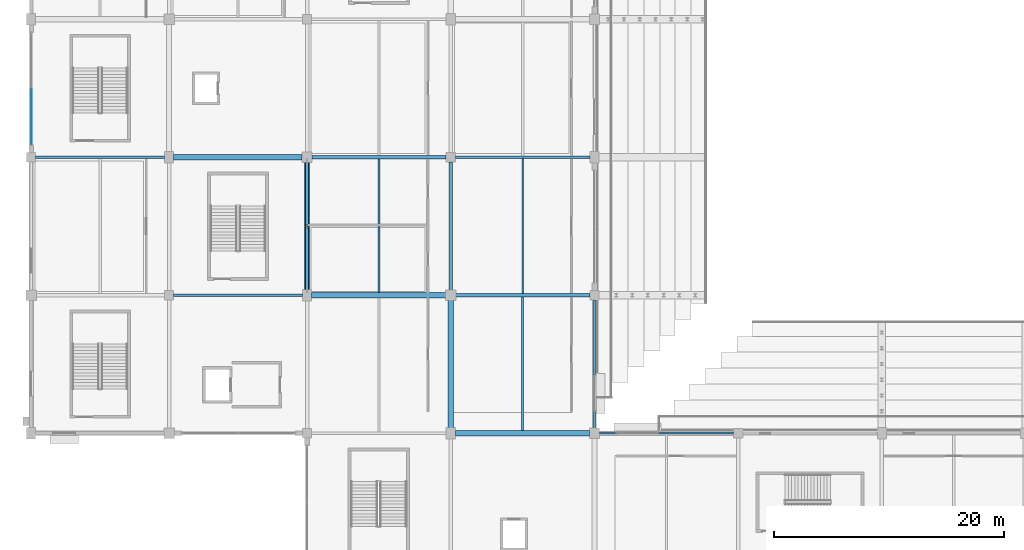
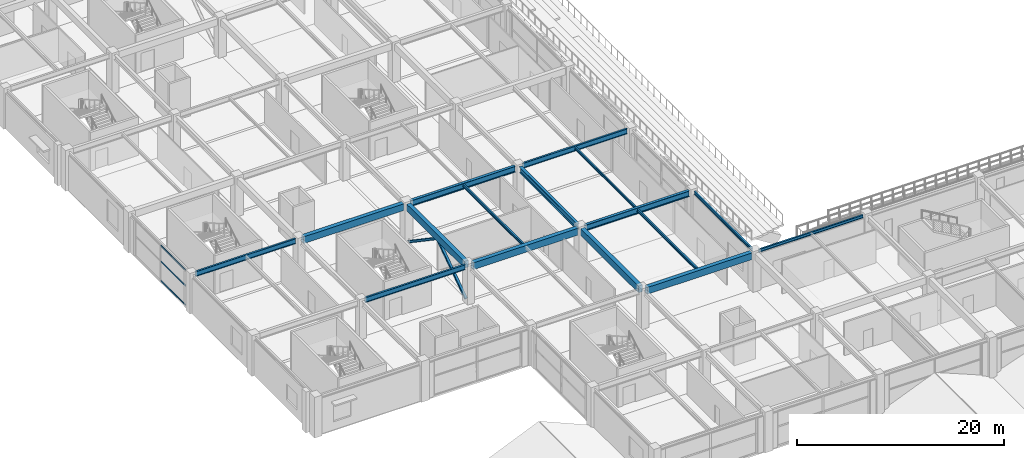
# One storey, part 10 of 134: 16 beams, 5 members, 1 element without a shape of its own.
"""IFC4 building model written with IfcOpenShell, lengths in metres."""

from ifc_helpers import new_model, si_unit, direction, frame, origin, origin_2d, place, context, subcontext, project, spatial, rectangle, i_section, extrude, material, layer, layer_set, material_profile, profile_set, type_object, element, aggregate, save


model = new_model("IFC4")

# Units and contexts
model_context = context("Model", 3, precision=1e-05, world=origin(), true_north=direction((0.0, 1.0)))
body_context = subcontext(model_context, "Body", "Model", "MODEL_VIEW")
ifc_project = project(units=[si_unit("LENGTHUNIT", "METRE"), si_unit("AREAUNIT", "SQUARE_METRE"), si_unit("VOLUMEUNIT", "CUBIC_METRE"), si_unit("PLANEANGLEUNIT", "RADIAN"), si_unit("MASSUNIT", "GRAM", prefix="KILO")], contexts=[model_context])

# Site, building, storey
site_placement = place(None, origin())
site = spatial("IfcSite", under=ifc_project, at=site_placement, CompositionType="ELEMENT")
building_placement = place(site_placement, origin())
building = spatial("IfcBuilding", under=site, at=building_placement, Name="Kazenohara Klinker Stadium", CompositionType="ELEMENT")
storey_placement = place(building_placement, frame((0.0, 0.0, 5.39990234375)))
storey = spatial("IfcBuildingStorey", under=building, at=storey_placement, Name="L01", CompositionType="ELEMENT", Elevation=5.39990234375)

# Beams
ifc_material_1 = material(Name="Steel S355", Category="steel")
ifc_material_profile_1 = material_profile(ifc_material_1, i_section(OverallWidth=0.175048828125, OverallDepth=0.35009765625, WebThickness=0.007080078125, FlangeThickness=0.010986328125, FilletRadius=0.012939453125, at=origin_2d()), Name="H-350x175x7x11")
ifc_profile_set_1 = profile_set([ifc_material_profile_1], Name="Steel S355")
beam_type_1 = type_object("IfcBeamType", Name="BM-JST04", PredefinedType="JOIST", material=ifc_profile_set_1)
for number, where, z_axis, x_axis, name in (
    (1, (30.25, 48.22509765625, 4.375), (0.0, 1.0, 0.0), (-1.0, 0.0, 0.0), "Secondary floor joist SJ04 L01 3/E"),
    (2, (42.75, 36.22509765625, 4.375), (0.0, 1.0, 0.0), (-1.0, 0.0, 0.0), "Secondary floor joist SJ04 L01 4/D"),
):
    element("IfcBeam", number, at=place(storey_placement, frame(where, z_axis=z_axis, x_axis=x_axis)), inside=storey, type_object=beam_type_1, Name=name, PredefinedType="JOIST", context=body_context, shape_type="SweptSolid", body=[
        extrude(i_section(OverallWidth=0.175048828125, OverallDepth=0.35009765625, WebThickness=0.007080078125, FlangeThickness=0.010986328125, FilletRadius=0.012939453125, at=origin_2d()), origin(), (0.0, 0.0, 1.0), 11.625),
    ])
ifc_material_profile_2 = material_profile(ifc_material_1, i_section(OverallWidth=0.14990234375, OverallDepth=0.300048828125, WebThickness=0.006591796875, FlangeThickness=0.009033203125, FilletRadius=0.012939453125, at=origin_2d()), Name="H-300x150x6.5x9")
ifc_profile_set_2 = profile_set([ifc_material_profile_2], Name="Steel S355")
beam_type_2 = type_object("IfcBeamType", Name="BM-JST05", PredefinedType="JOIST", material=ifc_profile_set_2)
beam_1_placement = place(storey_placement, frame((42.75, 48.14990234375, 4.400146484375), z_axis=(0.0, 1.0, 0.0), x_axis=(-1.0, 0.0, 0.0)))
element("IfcBeam", 3, at=beam_1_placement, inside=storey, type_object=beam_type_2, Name="Secondary floor joist SJ05 L01 4/E", PredefinedType="JOIST", context=body_context, shape_type="SweptSolid", body=[
    extrude(i_section(OverallWidth=0.14990234375, OverallDepth=0.300048828125, WebThickness=0.006591796875, FlangeThickness=0.009033203125, FilletRadius=0.012939453125, at=origin_2d()), origin(), (0.0, 0.0, 1.0), 11.75),
])
ifc_material_2 = material(Name="Concrete C40/50", Category="concrete")
ifc_material_profile_3 = material_profile(ifc_material_2, rectangle(XDim=0.449951171875, YDim=0.800048828125, at=origin_2d()), Name="RC-BM-450x800")
ifc_profile_set_3 = profile_set([ifc_material_profile_3], Name="Concrete C40/50")
beam_type_3 = type_object("IfcBeamType", Name="BM-RC03", PredefinedType="BEAM", material=ifc_profile_set_3)
beam_2_placement = place(storey_placement, frame((12.39990234375, 60.0, 4.150146484375), z_axis=(1.0, 0.0, 0.0), x_axis=(0.0, 1.0, 0.0)))
element("IfcBeam", 4, at=beam_2_placement, inside=storey, type_object=beam_type_3, Name="Primary girder BG03 L01 2-3/F", PredefinedType="BEAM", context=body_context, shape_type="SweptSolid", body=[
    extrude(rectangle(XDim=0.449951171875, YDim=0.800048828125, at=origin_2d()), origin(), (0.0, 0.0, 1.0), 11.18017578125),
])
for number, where, z_axis, x_axis, name in (
    (5, (24.39990234375, 48.0, 4.150146484375), (1.0, 0.0, 0.0), (0.0, 1.0, 0.0), "Primary girder BG03 L01 3-4/E"),
    (6, (36.89990234375, 36.0, 4.150146484375), (1.0, 0.0, 0.0), (0.0, 1.0, 0.0), "Primary girder BG03 L01 4-5/D"),
):
    element("IfcBeam", number, at=place(storey_placement, frame(where, z_axis=z_axis, x_axis=x_axis)), inside=storey, type_object=beam_type_3, Name=name, PredefinedType="BEAM", context=body_context, shape_type="SweptSolid", body=[
        extrude(rectangle(XDim=0.449951171875, YDim=0.800048828125, at=origin_2d()), origin(), (0.0, 0.0, 1.0), 11.68017578125),
    ])
for number, where, z_axis, x_axis, name in (
    (7, (24.0, 48.419921875, 4.150146484375), (0.0, 1.0, 0.0), (-1.0, 0.0, 0.0), "Primary girder BG03 L01 3/E-F"),
    (8, (36.5, 36.419921875, 4.150146484375), (0.0, 1.0, 0.0), (-1.0, 0.0, 0.0), "Primary girder BG03 L01 4/D-E"),
):
    element("IfcBeam", number, at=place(storey_placement, frame(where, z_axis=z_axis, x_axis=x_axis)), inside=storey, type_object=beam_type_3, Name=name, PredefinedType="BEAM", context=body_context, shape_type="SweptSolid", body=[
        extrude(rectangle(XDim=0.449951171875, YDim=0.800048828125, at=origin_2d()), origin(), (0.0, 0.0, 1.0), 11.16015625),
    ])
ifc_material_profile_4 = material_profile(ifc_material_1, i_section(OverallWidth=0.175048828125, OverallDepth=0.35009765625, WebThickness=0.007080078125, FlangeThickness=0.010986328125, FilletRadius=0.012939453125, at=origin_2d()), Name="H-350x175x7x11")
ifc_profile_set_4 = profile_set([ifc_material_profile_4], Name="Steel S355")
beam_type_4 = type_object("IfcBeamType", Name="BM-SPD02", PredefinedType="SPANDREL", material=ifc_profile_set_4)
beam_3_placement = place(storey_placement, frame((49.419921875, 36.0, 4.375), z_axis=(1.0, 0.0, 0.0), x_axis=(0.0, 1.0, 0.0)))
element("IfcBeam", 9, at=beam_3_placement, inside=storey, type_object=beam_type_4, Name="Primary girder SP02 L01 5-6/D", PredefinedType="SPANDREL", context=body_context, shape_type="SweptSolid", body=[
    extrude(i_section(OverallWidth=0.175048828125, OverallDepth=0.35009765625, WebThickness=0.007080078125, FlangeThickness=0.010986328125, FilletRadius=0.012939453125, at=origin_2d()), origin(), (0.0, 0.0, 1.0), 11.68017578125),
])
beam_4_placement = place(storey_placement, frame((49.0, 36.419921875, 4.375), z_axis=(0.0, 1.0, 0.0), x_axis=(-1.0, 0.0, 0.0)))
element("IfcBeam", 10, at=beam_4_placement, inside=storey, type_object=beam_type_4, Name="Primary girder SP02 L01 5/D-E", PredefinedType="SPANDREL", context=body_context, shape_type="SweptSolid", body=[
    extrude(i_section(OverallWidth=0.175048828125, OverallDepth=0.35009765625, WebThickness=0.007080078125, FlangeThickness=0.010986328125, FilletRadius=0.012939453125, at=origin_2d()), origin(), (0.0, 0.0, 1.0), 11.18017578125),
])
ifc_material_profile_5 = material_profile(ifc_material_1, i_section(OverallWidth=0.300048828125, OverallDepth=0.699951171875, WebThickness=0.012939453125, FlangeThickness=0.02392578125, FilletRadius=0.02197265625, at=origin_2d()), Name="H-700x300x13x24")
ifc_profile_set_5 = profile_set([ifc_material_profile_5], Name="Steel S355")
beam_type_5 = type_object("IfcBeamType", Name="BM-ST03", PredefinedType="BEAM", material=ifc_profile_set_5)
for number, where, z_axis, x_axis, name in (
    (11, (24.419921875, 60.0, 4.2001953125), (1.0, 0.0, 0.0), (0.0, 1.0, 0.0), "Primary girder SB03 L01 3-4/F"),
    (12, (36.919921875, 48.0, 4.2001953125), (1.0, 0.0, 0.0), (0.0, 1.0, 0.0), "Primary girder SB03 L01 4-5/E"),
):
    element("IfcBeam", number, at=place(storey_placement, frame(where, z_axis=z_axis, x_axis=x_axis)), inside=storey, type_object=beam_type_5, Name=name, PredefinedType="BEAM", context=body_context, shape_type="SweptSolid", body=[
        extrude(i_section(OverallWidth=0.300048828125, OverallDepth=0.699951171875, WebThickness=0.012939453125, FlangeThickness=0.02392578125, FilletRadius=0.02197265625, at=origin_2d()), origin(), (0.0, 0.0, 1.0), 11.68017578125),
    ])
beam_5_placement = place(storey_placement, frame((36.5, 48.419921875, 4.2001953125), z_axis=(0.0, 1.0, 0.0), x_axis=(-1.0, 0.0, 0.0)))
element("IfcBeam", 13, at=beam_5_placement, inside=storey, type_object=beam_type_5, Name="Primary girder SB03 L01 4/E-F", PredefinedType="BEAM", context=body_context, shape_type="SweptSolid", body=[
    extrude(i_section(OverallWidth=0.300048828125, OverallDepth=0.699951171875, WebThickness=0.012939453125, FlangeThickness=0.02392578125, FilletRadius=0.02197265625, at=origin_2d()), origin(), (0.0, 0.0, 1.0), 11.18017578125),
])
ifc_material_profile_6 = material_profile(ifc_material_1, i_section(OverallWidth=0.199951171875, OverallDepth=0.60009765625, WebThickness=0.010986328125, FlangeThickness=0.01708984375, FilletRadius=0.012939453125, at=origin_2d()), Name="H-600x200x11x17")
ifc_profile_set_6 = profile_set([ifc_material_profile_6], Name="Steel S355")
beam_type_6 = type_object("IfcBeamType", Name="BM-ST04", PredefinedType="BEAM", material=ifc_profile_set_6)
for number, where, z_axis, x_axis, name in (
    (14, (0.39990234375, 60.0, 4.25), (1.0, 0.0, 0.0), (0.0, 1.0, 0.0), "Primary girder SB04 L01 1-2/F"),
    (15, (12.39990234375, 48.0, 4.25), (1.0, 0.0, 0.0), (0.0, 1.0, 0.0), "Primary girder SB04 L01 2-3/E"),
):
    element("IfcBeam", number, at=place(storey_placement, frame(where, z_axis=z_axis, x_axis=x_axis)), inside=storey, type_object=beam_type_6, Name=name, PredefinedType="BEAM", context=body_context, shape_type="SweptSolid", body=[
        extrude(i_section(OverallWidth=0.199951171875, OverallDepth=0.60009765625, WebThickness=0.010986328125, FlangeThickness=0.01708984375, FilletRadius=0.012939453125, at=origin_2d()), origin(), (0.0, 0.0, 1.0), 11.2001953125),
    ])
beam_6_placement = place(storey_placement, frame((36.89990234375, 60.0, 4.25), z_axis=(1.0, 0.0, 0.0), x_axis=(0.0, 1.0, 0.0)))
element("IfcBeam", 16, at=beam_6_placement, inside=storey, type_object=beam_type_6, Name="Primary girder SB04 L01 4-5/F", PredefinedType="BEAM", context=body_context, shape_type="SweptSolid", body=[
    extrude(i_section(OverallWidth=0.199951171875, OverallDepth=0.60009765625, WebThickness=0.010986328125, FlangeThickness=0.01708984375, FilletRadius=0.012939453125, at=origin_2d()), origin(), (0.0, 0.0, 1.0), 11.7001953125),
])

# Curtain wall, members
ifc_material_3 = material(Name="Anodised aluminium and triple glazing", Category="aluminium")
ifc_layer = layer(ifc_material_3, 0.179931640625)
ifc_layer_set = layer_set([ifc_layer], Name="Anodised aluminium and triple glazing")
curtain_wall_type = type_object("IfcCurtainWallType", Name="CW-SYS-02", PredefinedType="USERDEFINED", material=ifc_layer_set)
curtain_wall_placement = place(storey_placement, origin())
curtain_wall = element("IfcCurtainWall", 17, at=curtain_wall_placement, inside=storey, type_object=curtain_wall_type, Name="Unitised facade curtain wall CW02 L01 Y0-5", ObjectType="UNITISED CURTAIN WALL", PredefinedType="USERDEFINED")
ifc_material_4 = material(Name="Anodised aluminium 6063-T6", Category="aluminium")
ifc_material_profile_7 = material_profile(ifc_material_4, rectangle(XDim=0.074951171875, YDim=0.159912109375, at=origin_2d()), Name="ALU-TRN-75x160")
ifc_profile_set_7 = profile_set([ifc_material_profile_7], Name="Anodised aluminium 6063-T6")
member_type_1 = type_object("IfcMemberType", Name="CW-TRN-160", PredefinedType="USERDEFINED", material=ifc_profile_set_7)
member_1_placement = place(storey_placement, frame((0.0, 61.12890625, 0.03759765625), z_axis=(0.0, 1.0, 0.0), x_axis=(-1.0, 0.0, 0.0)))
member_1 = element("IfcMember", 18, at=member_1_placement, type_object=member_type_1, Name="CW02 transom 1.1", ObjectType="TRANSOM", PredefinedType="USERDEFINED", context=body_context, shape_type="SweptSolid", body=[
    extrude(rectangle(XDim=0.074951171875, YDim=0.159912109375, at=origin_2d()), origin(), (0.0, 0.0, 1.0), 4.78369140625),
])
member_2_placement = place(storey_placement, frame((0.0, 61.12890625, 2.31005859375), z_axis=(0.0, 1.0, 0.0), x_axis=(-1.0, 0.0, 0.0)))
member_2 = element("IfcMember", 19, at=member_2_placement, type_object=member_type_1, Name="CW02 transom 1.2", ObjectType="TRANSOM", PredefinedType="USERDEFINED", context=body_context, shape_type="SweptSolid", body=[
    extrude(rectangle(XDim=0.074951171875, YDim=0.159912109375, at=origin_2d()), origin(), (0.0, 0.0, 1.0), 4.78369140625),
])
member_3_placement = place(storey_placement, frame((0.0, 61.12890625, 4.16259765625), z_axis=(0.0, 1.0, 0.0), x_axis=(-1.0, 0.0, 0.0)))
member_3 = element("IfcMember", 20, at=member_3_placement, type_object=member_type_1, Name="CW02 transom 1.3", ObjectType="TRANSOM", PredefinedType="USERDEFINED", context=body_context, shape_type="SweptSolid", body=[
    extrude(rectangle(XDim=0.074951171875, YDim=0.159912109375, at=origin_2d()), origin(), (0.0, 0.0, 1.0), 4.78369140625),
])
aggregate(curtain_wall, [member_1, member_2, member_3])

# Members
ifc_material_profile_8 = material_profile(ifc_material_1, i_section(OverallWidth=0.25, OverallDepth=0.25, WebThickness=0.009033203125, FlangeThickness=0.013916015625, FilletRadius=0.012939453125, at=origin_2d()), Name="H-250x250x9x14")
ifc_profile_set_8 = profile_set([ifc_material_profile_8], Name="Steel S355")
member_type_2 = type_object("IfcMemberType", Name="MEM-BRC02", PredefinedType="BRACE", material=ifc_profile_set_8)
member_4_placement = place(storey_placement, frame((24.0, 48.47998046875, 0.050048828125), z_axis=(0.0, 0.825455346311, 0.564467422662), x_axis=(-1.0, 0.0, 0.0)))
element("IfcMember", 21, at=member_4_placement, inside=storey, type_object=member_type_2, Name="Concentric brace BR02 L01 3/E A", PredefinedType="BRACE", context=body_context, shape_type="SweptSolid", body=[
    extrude(i_section(OverallWidth=0.25, OverallDepth=0.25, WebThickness=0.009033203125, FlangeThickness=0.013916015625, FilletRadius=0.012939453125, at=origin_2d()), origin(), (0.0, 0.0, 1.0), 6.59033203125),
])
member_5_placement = place(storey_placement, frame((24.0, 59.570068359375, 0.050048828125), z_axis=(0.0, -0.827852512769, 0.560945823679), x_axis=(1.0, 0.0, 0.0)))
element("IfcMember", 22, at=member_5_placement, inside=storey, type_object=member_type_2, Name="Concentric brace BR02 L01 3/E B", PredefinedType="BRACE", context=body_context, shape_type="SweptSolid", body=[
    extrude(i_section(OverallWidth=0.25, OverallDepth=0.25, WebThickness=0.009033203125, FlangeThickness=0.013916015625, FilletRadius=0.012939453125, at=origin_2d()), origin(), (0.0, 0.0, 1.0), 6.631591796875),
])

save(model, "model.ifc")
